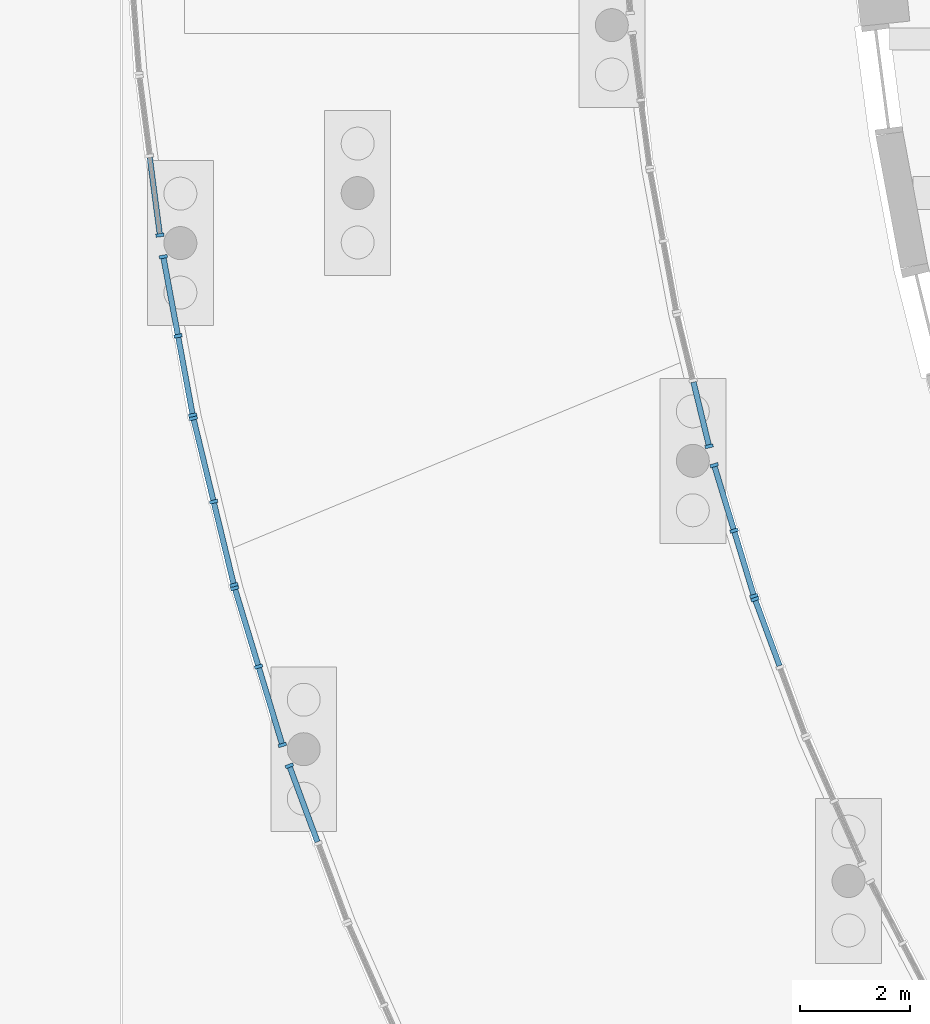
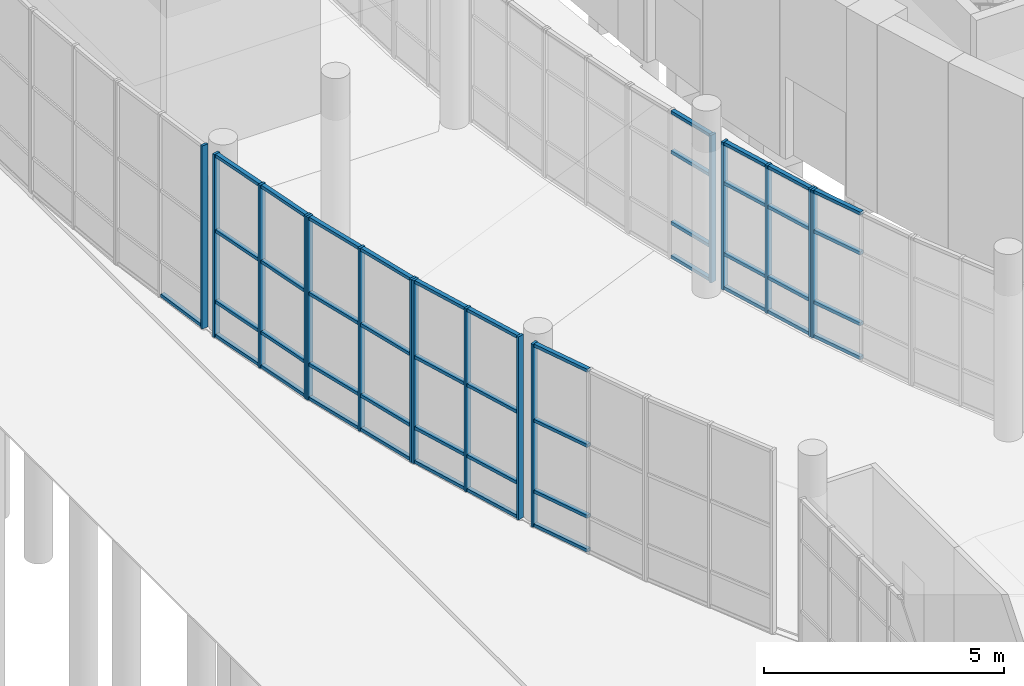
# One storey, part 20 of 110: 61 members, 8 elements without a shape of their own.
"""IFC4 building model written with IfcOpenShell, lengths in metres."""

from ifc_helpers import new_model, si_unit, direction, frame, origin, origin_2d, place, context, subcontext, project, spatial, rectangle, extrude, material, layer, layer_set, material_profile, profile_set, type_object, element, aggregate, save


model = new_model("IFC4")

# Units and contexts
model_context = context("Model", 3, precision=1e-05, world=origin(), true_north=direction((0.0, 1.0)))
body_context = subcontext(model_context, "Body", "Model", "MODEL_VIEW")
ifc_project = project(units=[si_unit("LENGTHUNIT", "METRE"), si_unit("AREAUNIT", "SQUARE_METRE"), si_unit("VOLUMEUNIT", "CUBIC_METRE"), si_unit("PLANEANGLEUNIT", "RADIAN"), si_unit("MASSUNIT", "GRAM", prefix="KILO")], contexts=[model_context])

# Site, building, storey
site_placement = place(None, origin())
site = spatial("IfcSite", under=ifc_project, at=site_placement, CompositionType="ELEMENT")
building_placement = place(site_placement, origin())
building = spatial("IfcBuilding", under=site, at=building_placement, Name="Larchfold Concert Hall", CompositionType="ELEMENT")
storey_placement = place(building_placement, origin())
storey = spatial("IfcBuildingStorey", under=building, at=storey_placement, Name="L00", CompositionType="ELEMENT", Elevation=0.0)

# Curtain wall, member
ifc_material_1 = material(Name="Anodised graphite aluminium curtain wall", Category="aluminium")
ifc_layer = layer(ifc_material_1, 0.14990234375)
ifc_layer_set = layer_set([ifc_layer], Name="Anodised graphite aluminium curtain wall")
curtain_wall_type = type_object("IfcCurtainWallType", Name="Curtain wall WG", PredefinedType="NOTDEFINED", material=ifc_layer_set)
curtain_wall_1_placement = place(storey_placement, origin())
curtain_wall_1 = element("IfcCurtainWall", 1, at=curtain_wall_1_placement, inside=storey, type_object=curtain_wall_type, Name="Curtain wall CW0064", PredefinedType="NOTDEFINED")
ifc_material_2 = material(Name="Anodised graphite aluminium mullion", Category="aluminium")
ifc_material_profile_1 = material_profile(ifc_material_2, rectangle(XDim=0.14990234375, YDim=0.06005859375, at=origin_2d()))
ifc_profile_set_1 = profile_set([ifc_material_profile_1], Name="Anodised graphite aluminium mullion")
member_type_1 = type_object("IfcMemberType", Name="Aluminium mullion 60x150", PredefinedType="MULLION", material=ifc_profile_set_1)
member_1_placement = place(storey_placement, frame((16.230712890625, 68.808837890625, 0.0), z_axis=(0.0, 0.0, 1.0), x_axis=(-0.938001528432, -0.346631119, 0.0)))
member_1 = element("IfcMember", 2, at=member_1_placement, type_object=member_type_1, Name="CW0064 mullion 3", PredefinedType="MULLION", context=body_context, shape_type="SweptSolid", body=[
    extrude(rectangle(XDim=0.14990234375, YDim=0.06005859375, at=origin_2d()), origin(), (0.0, 0.0, 1.0), 3.75),
])

# Curtain wall, members
curtain_wall_2_placement = place(storey_placement, origin())
curtain_wall_2 = element("IfcCurtainWall", 3, at=curtain_wall_2_placement, inside=storey, type_object=curtain_wall_type, Name="Curtain wall CW0065", PredefinedType="NOTDEFINED")
member_2_placement = place(storey_placement, frame((16.21142578125, 68.86572265625, 0.0), z_axis=(0.0, 0.0, 1.0), x_axis=(-0.956861561902, -0.290544233044, 0.0)))
member_2 = element("IfcMember", 4, at=member_2_placement, type_object=member_type_1, Name="CW0065 mullion 1", PredefinedType="MULLION", context=body_context, shape_type="SweptSolid", body=[
    extrude(rectangle(XDim=0.14990234375, YDim=0.06005859375, at=origin_2d()), origin(), (0.0, 0.0, 1.0), 3.75),
])
member_3_placement = place(storey_placement, frame((15.849853515625, 70.056640625, 0.0), z_axis=(0.0, 0.0, 1.0), x_axis=(-0.956861561902, -0.290544233044, 0.0)))
member_3 = element("IfcMember", 5, at=member_3_placement, type_object=member_type_1, Name="CW0065 mullion 2", PredefinedType="MULLION", context=body_context, shape_type="SweptSolid", body=[
    extrude(rectangle(XDim=0.14990234375, YDim=0.06005859375, at=origin_2d()), origin(), (0.0, 0.0, 1.0), 3.75),
])
member_4_placement = place(storey_placement, frame((15.48828125, 71.24755859375, 0.0), z_axis=(0.0, 0.0, 1.0), x_axis=(-0.956861561902, -0.290544233044, 0.0)))
member_4 = element("IfcMember", 6, at=member_4_placement, type_object=member_type_1, Name="CW0065 mullion 3", PredefinedType="MULLION", context=body_context, shape_type="SweptSolid", body=[
    extrude(rectangle(XDim=0.14990234375, YDim=0.06005859375, at=origin_2d()), origin(), (0.0, 0.0, 1.0), 3.75),
])

# Curtain wall, member
curtain_wall_3_placement = place(storey_placement, origin())
curtain_wall_3 = element("IfcCurtainWall", 7, at=curtain_wall_3_placement, inside=storey, type_object=curtain_wall_type, Name="Curtain wall CW0066", PredefinedType="NOTDEFINED")
member_5_placement = place(storey_placement, frame((15.394775390625, 71.591796875, 0.0), z_axis=(0.0, 0.0, 1.0), x_axis=(-0.971766073128, -0.235946390347, 0.0)))
member_5 = element("IfcMember", 8, at=member_5_placement, type_object=member_type_1, Name="CW0066 mullion 1", PredefinedType="MULLION", context=body_context, shape_type="SweptSolid", body=[
    extrude(rectangle(XDim=0.14990234375, YDim=0.06005859375, at=origin_2d()), origin(), (0.0, 0.0, 1.0), 3.75),
])

curtain_wall_4_placement = place(storey_placement, origin())
curtain_wall_4 = element("IfcCurtainWall", 9, at=curtain_wall_4_placement, inside=storey, type_object=curtain_wall_type, Name="Curtain wall CW0121", PredefinedType="NOTDEFINED")
member_6_placement = place(storey_placement, frame((5.40087890625, 75.433349609375, 0.0), z_axis=(0.0, 0.0, 1.0), x_axis=(0.99154490594, 0.129764014676, 0.0)))
member_6 = element("IfcMember", 10, at=member_6_placement, type_object=member_type_1, Name="CW0121 mullion 3", PredefinedType="MULLION", context=body_context, shape_type="SweptSolid", body=[
    extrude(rectangle(XDim=0.14990234375, YDim=0.06005859375, at=origin_2d()), origin(), (0.0, 0.0, 1.0), 4.64990234375),
])

# Curtain wall, members
curtain_wall_5_placement = place(storey_placement, origin())
curtain_wall_5 = element("IfcCurtainWall", 11, at=curtain_wall_5_placement, inside=storey, type_object=curtain_wall_type, Name="Curtain wall CW0122", PredefinedType="NOTDEFINED")
member_7_placement = place(storey_placement, frame((5.46240234375, 75.041748046875, 0.0), z_axis=(0.0, 0.0, 1.0), x_axis=(0.983230562544, 0.182366830535, 0.0)))
member_7 = element("IfcMember", 12, at=member_7_placement, type_object=member_type_1, Name="CW0122 mullion 1", PredefinedType="MULLION", context=body_context, shape_type="SweptSolid", body=[
    extrude(rectangle(XDim=0.14990234375, YDim=0.06005859375, at=origin_2d()), origin(), (0.0, 0.0, 1.0), 4.64990234375),
])
member_8_placement = place(storey_placement, frame((5.729736328125, 73.600341796875, 0.0), z_axis=(0.0, 0.0, 1.0), x_axis=(0.983230562544, 0.182366830535, 0.0)))
member_8 = element("IfcMember", 13, at=member_8_placement, type_object=member_type_1, Name="CW0122 mullion 2", PredefinedType="MULLION", context=body_context, shape_type="SweptSolid", body=[
    extrude(rectangle(XDim=0.14990234375, YDim=0.06005859375, at=origin_2d()), origin(), (0.0, 0.0, 1.0), 4.64990234375),
])
member_9_placement = place(storey_placement, frame((5.997314453125, 72.158935546875, 0.0), z_axis=(0.0, 0.0, 1.0), x_axis=(0.983230562544, 0.182366830535, 0.0)))
member_9 = element("IfcMember", 14, at=member_9_placement, type_object=member_type_1, Name="CW0122 mullion 3", PredefinedType="MULLION", context=body_context, shape_type="SweptSolid", body=[
    extrude(rectangle(XDim=0.14990234375, YDim=0.06005859375, at=origin_2d()), origin(), (0.0, 0.0, 1.0), 4.64990234375),
])

curtain_wall_6_placement = place(storey_placement, origin())
curtain_wall_6 = element("IfcCurtainWall", 15, at=curtain_wall_6_placement, inside=storey, type_object=curtain_wall_type, Name="Curtain wall CW0123", PredefinedType="NOTDEFINED")
member_10_placement = place(storey_placement, frame((6.009765625, 72.100341796875, 0.0), z_axis=(0.0, 0.0, 1.0), x_axis=(0.97176803509, 0.235938309687, 0.0)))
member_10 = element("IfcMember", 16, at=member_10_placement, type_object=member_type_1, Name="CW0123 mullion 1", PredefinedType="MULLION", context=body_context, shape_type="SweptSolid", body=[
    extrude(rectangle(XDim=0.14990234375, YDim=0.06005859375, at=origin_2d()), origin(), (0.0, 0.0, 1.0), 4.64990234375),
])
member_11_placement = place(storey_placement, frame((6.3779296875, 70.583984375, 0.0), z_axis=(0.0, 0.0, 1.0), x_axis=(0.97176803509, 0.235938309687, 0.0)))
member_11 = element("IfcMember", 17, at=member_11_placement, type_object=member_type_1, Name="CW0123 mullion 2", PredefinedType="MULLION", context=body_context, shape_type="SweptSolid", body=[
    extrude(rectangle(XDim=0.14990234375, YDim=0.06005859375, at=origin_2d()), origin(), (0.0, 0.0, 1.0), 4.64990234375),
])
member_12_placement = place(storey_placement, frame((6.74609375, 69.0673828125, 0.0), z_axis=(0.0, 0.0, 1.0), x_axis=(0.97176803509, 0.235938309687, 0.0)))
member_12 = element("IfcMember", 18, at=member_12_placement, type_object=member_type_1, Name="CW0123 mullion 3", PredefinedType="MULLION", context=body_context, shape_type="SweptSolid", body=[
    extrude(rectangle(XDim=0.14990234375, YDim=0.06005859375, at=origin_2d()), origin(), (0.0, 0.0, 1.0), 4.64990234375),
])

curtain_wall_7_placement = place(storey_placement, origin())
curtain_wall_7 = element("IfcCurtainWall", 19, at=curtain_wall_7_placement, inside=storey, type_object=curtain_wall_type, Name="Curtain wall CW0124", PredefinedType="NOTDEFINED")
member_13_placement = place(storey_placement, frame((6.761962890625, 69.009521484375, 0.0), z_axis=(0.0, 0.0, 1.0), x_axis=(0.956837952339, 0.29062197605, 0.0)))
member_13 = element("IfcMember", 20, at=member_13_placement, type_object=member_type_1, Name="CW0124 mullion 1", PredefinedType="MULLION", context=body_context, shape_type="SweptSolid", body=[
    extrude(rectangle(XDim=0.14990234375, YDim=0.06005859375, at=origin_2d()), origin(), (0.0, 0.0, 1.0), 4.64990234375),
])
member_14_placement = place(storey_placement, frame((7.1953125, 67.582763671875, 0.0), z_axis=(0.0, 0.0, 1.0), x_axis=(0.956837952339, 0.29062197605, 0.0)))
member_14 = element("IfcMember", 21, at=member_14_placement, type_object=member_type_1, Name="CW0124 mullion 2", PredefinedType="MULLION", context=body_context, shape_type="SweptSolid", body=[
    extrude(rectangle(XDim=0.14990234375, YDim=0.06005859375, at=origin_2d()), origin(), (0.0, 0.0, 1.0), 4.64990234375),
])
member_15_placement = place(storey_placement, frame((7.628662109375, 66.15576171875, 0.0), z_axis=(0.0, 0.0, 1.0), x_axis=(0.956837952339, 0.29062197605, 0.0)))
member_15 = element("IfcMember", 22, at=member_15_placement, type_object=member_type_1, Name="CW0124 mullion 3", PredefinedType="MULLION", context=body_context, shape_type="SweptSolid", body=[
    extrude(rectangle(XDim=0.14990234375, YDim=0.06005859375, at=origin_2d()), origin(), (0.0, 0.0, 1.0), 4.64990234375),
])

# Curtain wall, member
curtain_wall_8_placement = place(storey_placement, origin())
curtain_wall_8 = element("IfcCurtainWall", 23, at=curtain_wall_8_placement, inside=storey, type_object=curtain_wall_type, Name="Curtain wall CW0125", PredefinedType="NOTDEFINED")
member_16_placement = place(storey_placement, frame((7.756103515625, 65.77734375, 0.0), z_axis=(0.0, 0.0, 1.0), x_axis=(0.938015834921, 0.346592402451, 0.0)))
member_16 = element("IfcMember", 24, at=member_16_placement, type_object=member_type_1, Name="CW0125 mullion 1", PredefinedType="MULLION", context=body_context, shape_type="SweptSolid", body=[
    extrude(rectangle(XDim=0.14990234375, YDim=0.06005859375, at=origin_2d()), origin(), (0.0, 0.0, 1.0), 4.64990234375),
])

# Member
ifc_material_3 = material(Name="Anodised graphite aluminium transom", Category="aluminium")
ifc_material_profile_2 = material_profile(ifc_material_3, rectangle(XDim=0.10009765625, YDim=0.080078125, at=origin_2d()))
ifc_profile_set_2 = profile_set([ifc_material_profile_2], Name="Anodised graphite aluminium transom")
member_type_2 = type_object("IfcMemberType", Name="Aluminium transom 80x100", PredefinedType="USERDEFINED", material=ifc_profile_set_2)
member_17_placement = place(storey_placement, frame((16.677734375, 67.5986328125, 0.0400390625), z_axis=(-0.346639022733, 0.937998607631, 0.0), x_axis=(-0.937998607631, -0.346639022733, 0.0)))
member_17 = element("IfcMember", 25, at=member_17_placement, type_object=member_type_2, Name="CW0064 transom 2.1", ObjectType="TRANSOM", PredefinedType="USERDEFINED", context=body_context, shape_type="SweptSolid", body=[
    extrude(rectangle(XDim=0.10009765625, YDim=0.080078125, at=origin_2d()), origin(), (0.0, 0.0, 1.0), 1.260009765625),
])

member_18_placement = place(storey_placement, frame((16.677734375, 67.5986328125, 0.89990234375), z_axis=(-0.346639022733, 0.937998607631, 0.0), x_axis=(-0.937998607631, -0.346639022733, 0.0)))
member_18 = element("IfcMember", 26, at=member_18_placement, type_object=member_type_2, Name="CW0064 transom 2.2", ObjectType="TRANSOM", PredefinedType="USERDEFINED", context=body_context, shape_type="SweptSolid", body=[
    extrude(rectangle(XDim=0.10009765625, YDim=0.080078125, at=origin_2d()), origin(), (0.0, 0.0, 1.0), 1.260009765625),
])

member_19_placement = place(storey_placement, frame((16.677734375, 67.5986328125, 2.699951171875), z_axis=(-0.346639022733, 0.937998607631, 0.0), x_axis=(-0.937998607631, -0.346639022733, 0.0)))
member_19 = element("IfcMember", 27, at=member_19_placement, type_object=member_type_2, Name="CW0064 transom 2.3", ObjectType="TRANSOM", PredefinedType="USERDEFINED", context=body_context, shape_type="SweptSolid", body=[
    extrude(rectangle(XDim=0.10009765625, YDim=0.080078125, at=origin_2d()), origin(), (0.0, 0.0, 1.0), 1.260009765625),
])

member_20_placement = place(storey_placement, frame((16.677734375, 67.5986328125, 3.7099609375), z_axis=(-0.346639022733, 0.937998607631, 0.0), x_axis=(-0.937998607631, -0.346639022733, 0.0)))
member_20 = element("IfcMember", 28, at=member_20_placement, type_object=member_type_2, Name="CW0064 transom 2.4", ObjectType="TRANSOM", PredefinedType="USERDEFINED", context=body_context, shape_type="SweptSolid", body=[
    extrude(rectangle(XDim=0.10009765625, YDim=0.080078125, at=origin_2d()), origin(), (0.0, 0.0, 1.0), 1.260009765625),
])

aggregate(curtain_wall_1, [member_1, member_17, member_18, member_19, member_20])

member_21_placement = place(storey_placement, frame((16.202880859375, 68.894287109375, 0.0400390625), z_axis=(-0.290579319315, 0.956850907502, 0.0), x_axis=(-0.956850907502, -0.290579319315, 0.0)))
member_21 = element("IfcMember", 29, at=member_21_placement, type_object=member_type_2, Name="CW0065 transom 1.1", ObjectType="TRANSOM", PredefinedType="USERDEFINED", context=body_context, shape_type="SweptSolid", body=[
    extrude(rectangle(XDim=0.10009765625, YDim=0.080078125, at=origin_2d()), origin(), (0.0, 0.0, 1.0), 1.1845703125),
])

member_22_placement = place(storey_placement, frame((16.202880859375, 68.894287109375, 0.89990234375), z_axis=(-0.290579319315, 0.956850907502, 0.0), x_axis=(-0.956850907502, -0.290579319315, 0.0)))
member_22 = element("IfcMember", 30, at=member_22_placement, type_object=member_type_2, Name="CW0065 transom 1.2", ObjectType="TRANSOM", PredefinedType="USERDEFINED", context=body_context, shape_type="SweptSolid", body=[
    extrude(rectangle(XDim=0.10009765625, YDim=0.080078125, at=origin_2d()), origin(), (0.0, 0.0, 1.0), 1.1845703125),
])

member_23_placement = place(storey_placement, frame((16.202880859375, 68.894287109375, 2.699951171875), z_axis=(-0.290579319315, 0.956850907502, 0.0), x_axis=(-0.956850907502, -0.290579319315, 0.0)))
member_23 = element("IfcMember", 31, at=member_23_placement, type_object=member_type_2, Name="CW0065 transom 1.3", ObjectType="TRANSOM", PredefinedType="USERDEFINED", context=body_context, shape_type="SweptSolid", body=[
    extrude(rectangle(XDim=0.10009765625, YDim=0.080078125, at=origin_2d()), origin(), (0.0, 0.0, 1.0), 1.1845703125),
])

member_24_placement = place(storey_placement, frame((16.202880859375, 68.894287109375, 3.7099609375), z_axis=(-0.290579319315, 0.956850907502, 0.0), x_axis=(-0.956850907502, -0.290579319315, 0.0)))
member_24 = element("IfcMember", 32, at=member_24_placement, type_object=member_type_2, Name="CW0065 transom 1.4", ObjectType="TRANSOM", PredefinedType="USERDEFINED", context=body_context, shape_type="SweptSolid", body=[
    extrude(rectangle(XDim=0.10009765625, YDim=0.080078125, at=origin_2d()), origin(), (0.0, 0.0, 1.0), 1.1845703125),
])

member_25_placement = place(storey_placement, frame((15.841064453125, 70.08544921875, 0.0400390625), z_axis=(-0.290579319315, 0.956850907502, 0.0), x_axis=(-0.956850907502, -0.290579319315, 0.0)))
member_25 = element("IfcMember", 33, at=member_25_placement, type_object=member_type_2, Name="CW0065 transom 2.1", ObjectType="TRANSOM", PredefinedType="USERDEFINED", context=body_context, shape_type="SweptSolid", body=[
    extrude(rectangle(XDim=0.10009765625, YDim=0.080078125, at=origin_2d()), origin(), (0.0, 0.0, 1.0), 1.1845703125),
])

member_26_placement = place(storey_placement, frame((15.841064453125, 70.08544921875, 0.89990234375), z_axis=(-0.290579319315, 0.956850907502, 0.0), x_axis=(-0.956850907502, -0.290579319315, 0.0)))
member_26 = element("IfcMember", 34, at=member_26_placement, type_object=member_type_2, Name="CW0065 transom 2.2", ObjectType="TRANSOM", PredefinedType="USERDEFINED", context=body_context, shape_type="SweptSolid", body=[
    extrude(rectangle(XDim=0.10009765625, YDim=0.080078125, at=origin_2d()), origin(), (0.0, 0.0, 1.0), 1.1845703125),
])

member_27_placement = place(storey_placement, frame((15.841064453125, 70.08544921875, 2.699951171875), z_axis=(-0.290579319315, 0.956850907502, 0.0), x_axis=(-0.956850907502, -0.290579319315, 0.0)))
member_27 = element("IfcMember", 35, at=member_27_placement, type_object=member_type_2, Name="CW0065 transom 2.3", ObjectType="TRANSOM", PredefinedType="USERDEFINED", context=body_context, shape_type="SweptSolid", body=[
    extrude(rectangle(XDim=0.10009765625, YDim=0.080078125, at=origin_2d()), origin(), (0.0, 0.0, 1.0), 1.1845703125),
])

member_28_placement = place(storey_placement, frame((15.841064453125, 70.08544921875, 3.7099609375), z_axis=(-0.290579319315, 0.956850907502, 0.0), x_axis=(-0.956850907502, -0.290579319315, 0.0)))
member_28 = element("IfcMember", 36, at=member_28_placement, type_object=member_type_2, Name="CW0065 transom 2.4", ObjectType="TRANSOM", PredefinedType="USERDEFINED", context=body_context, shape_type="SweptSolid", body=[
    extrude(rectangle(XDim=0.10009765625, YDim=0.080078125, at=origin_2d()), origin(), (0.0, 0.0, 1.0), 1.1845703125),
])

aggregate(curtain_wall_2, [member_2, member_3, member_4, member_21, member_22, member_23, member_24, member_25, member_26, member_27, member_28])

member_29_placement = place(storey_placement, frame((15.3876953125, 71.62109375, 0.0400390625), z_axis=(-0.236053588848, 0.971740038895, 0.0), x_axis=(-0.971740038895, -0.236053588848, 0.0)))
member_29 = element("IfcMember", 37, at=member_29_placement, type_object=member_type_2, Name="CW0066 transom 1.1", ObjectType="TRANSOM", PredefinedType="USERDEFINED", context=body_context, shape_type="SweptSolid", body=[
    extrude(rectangle(XDim=0.10009765625, YDim=0.080078125, at=origin_2d()), origin(), (0.0, 0.0, 1.0), 1.1708984375),
])

member_30_placement = place(storey_placement, frame((15.3876953125, 71.62109375, 0.89990234375), z_axis=(-0.236053588848, 0.971740038895, 0.0), x_axis=(-0.971740038895, -0.236053588848, 0.0)))
member_30 = element("IfcMember", 38, at=member_30_placement, type_object=member_type_2, Name="CW0066 transom 1.2", ObjectType="TRANSOM", PredefinedType="USERDEFINED", context=body_context, shape_type="SweptSolid", body=[
    extrude(rectangle(XDim=0.10009765625, YDim=0.080078125, at=origin_2d()), origin(), (0.0, 0.0, 1.0), 1.1708984375),
])

member_31_placement = place(storey_placement, frame((15.3876953125, 71.62109375, 2.699951171875), z_axis=(-0.236053588848, 0.971740038895, 0.0), x_axis=(-0.971740038895, -0.236053588848, 0.0)))
member_31 = element("IfcMember", 39, at=member_31_placement, type_object=member_type_2, Name="CW0066 transom 1.3", ObjectType="TRANSOM", PredefinedType="USERDEFINED", context=body_context, shape_type="SweptSolid", body=[
    extrude(rectangle(XDim=0.10009765625, YDim=0.080078125, at=origin_2d()), origin(), (0.0, 0.0, 1.0), 1.1708984375),
])

member_32_placement = place(storey_placement, frame((15.3876953125, 71.62109375, 3.7099609375), z_axis=(-0.236053588848, 0.971740038895, 0.0), x_axis=(-0.971740038895, -0.236053588848, 0.0)))
member_32 = element("IfcMember", 40, at=member_32_placement, type_object=member_type_2, Name="CW0066 transom 1.4", ObjectType="TRANSOM", PredefinedType="USERDEFINED", context=body_context, shape_type="SweptSolid", body=[
    extrude(rectangle(XDim=0.10009765625, YDim=0.080078125, at=origin_2d()), origin(), (0.0, 0.0, 1.0), 1.1708984375),
])

aggregate(curtain_wall_3, [member_5, member_29, member_30, member_31, member_32])

member_33_placement = place(storey_placement, frame((5.2158203125, 76.84765625, 0.0400390625), z_axis=(0.129735338481, -0.991548658387, 0.0), x_axis=(0.991548658387, 0.129735338481, 0.0)))
member_33 = element("IfcMember", 41, at=member_33_placement, type_object=member_type_2, Name="CW0121 transom 2.1", ObjectType="TRANSOM", PredefinedType="USERDEFINED", context=body_context, shape_type="SweptSolid", body=[
    extrude(rectangle(XDim=0.10009765625, YDim=0.080078125, at=origin_2d()), origin(), (0.0, 0.0, 1.0), 1.396240234375),
])

aggregate(curtain_wall_4, [member_6, member_33])

member_34_placement = place(storey_placement, frame((5.468017578125, 75.01220703125, 0.0400390625), z_axis=(0.18233799129, -0.983235911128, 0.0), x_axis=(0.983235911128, 0.18233799129, 0.0)))
member_34 = element("IfcMember", 42, at=member_34_placement, type_object=member_type_2, Name="CW0122 transom 1.1", ObjectType="TRANSOM", PredefinedType="USERDEFINED", context=body_context, shape_type="SweptSolid", body=[
    extrude(rectangle(XDim=0.10009765625, YDim=0.080078125, at=origin_2d()), origin(), (0.0, 0.0, 1.0), 1.406005859375),
])

member_35_placement = place(storey_placement, frame((5.468017578125, 75.01220703125, 0.89990234375), z_axis=(0.18233799129, -0.983235911128, 0.0), x_axis=(0.983235911128, 0.18233799129, 0.0)))
member_35 = element("IfcMember", 43, at=member_35_placement, type_object=member_type_2, Name="CW0122 transom 1.2", ObjectType="TRANSOM", PredefinedType="USERDEFINED", context=body_context, shape_type="SweptSolid", body=[
    extrude(rectangle(XDim=0.10009765625, YDim=0.080078125, at=origin_2d()), origin(), (0.0, 0.0, 1.0), 1.406005859375),
])

member_36_placement = place(storey_placement, frame((5.468017578125, 75.01220703125, 2.699951171875), z_axis=(0.18233799129, -0.983235911128, 0.0), x_axis=(0.983235911128, 0.18233799129, 0.0)))
member_36 = element("IfcMember", 44, at=member_36_placement, type_object=member_type_2, Name="CW0122 transom 1.3", ObjectType="TRANSOM", PredefinedType="USERDEFINED", context=body_context, shape_type="SweptSolid", body=[
    extrude(rectangle(XDim=0.10009765625, YDim=0.080078125, at=origin_2d()), origin(), (0.0, 0.0, 1.0), 1.406005859375),
])

member_37_placement = place(storey_placement, frame((5.468017578125, 75.01220703125, 4.60986328125), z_axis=(0.18233799129, -0.983235911128, 0.0), x_axis=(0.983235911128, 0.18233799129, 0.0)))
member_37 = element("IfcMember", 45, at=member_37_placement, type_object=member_type_2, Name="CW0122 transom 1.4", ObjectType="TRANSOM", PredefinedType="USERDEFINED", context=body_context, shape_type="SweptSolid", body=[
    extrude(rectangle(XDim=0.10009765625, YDim=0.080078125, at=origin_2d()), origin(), (0.0, 0.0, 1.0), 1.406005859375),
])

member_38_placement = place(storey_placement, frame((5.7353515625, 73.57080078125, 0.0400390625), z_axis=(0.18233799129, -0.983235911128, 0.0), x_axis=(0.983235911128, 0.18233799129, 0.0)))
member_38 = element("IfcMember", 46, at=member_38_placement, type_object=member_type_2, Name="CW0122 transom 2.1", ObjectType="TRANSOM", PredefinedType="USERDEFINED", context=body_context, shape_type="SweptSolid", body=[
    extrude(rectangle(XDim=0.10009765625, YDim=0.080078125, at=origin_2d()), origin(), (0.0, 0.0, 1.0), 1.406005859375),
])

member_39_placement = place(storey_placement, frame((5.7353515625, 73.57080078125, 0.89990234375), z_axis=(0.18233799129, -0.983235911128, 0.0), x_axis=(0.983235911128, 0.18233799129, 0.0)))
member_39 = element("IfcMember", 47, at=member_39_placement, type_object=member_type_2, Name="CW0122 transom 2.2", ObjectType="TRANSOM", PredefinedType="USERDEFINED", context=body_context, shape_type="SweptSolid", body=[
    extrude(rectangle(XDim=0.10009765625, YDim=0.080078125, at=origin_2d()), origin(), (0.0, 0.0, 1.0), 1.406005859375),
])

member_40_placement = place(storey_placement, frame((5.7353515625, 73.57080078125, 2.699951171875), z_axis=(0.18233799129, -0.983235911128, 0.0), x_axis=(0.983235911128, 0.18233799129, 0.0)))
member_40 = element("IfcMember", 48, at=member_40_placement, type_object=member_type_2, Name="CW0122 transom 2.3", ObjectType="TRANSOM", PredefinedType="USERDEFINED", context=body_context, shape_type="SweptSolid", body=[
    extrude(rectangle(XDim=0.10009765625, YDim=0.080078125, at=origin_2d()), origin(), (0.0, 0.0, 1.0), 1.406005859375),
])

member_41_placement = place(storey_placement, frame((5.7353515625, 73.57080078125, 4.60986328125), z_axis=(0.18233799129, -0.983235911128, 0.0), x_axis=(0.983235911128, 0.18233799129, 0.0)))
member_41 = element("IfcMember", 49, at=member_41_placement, type_object=member_type_2, Name="CW0122 transom 2.4", ObjectType="TRANSOM", PredefinedType="USERDEFINED", context=body_context, shape_type="SweptSolid", body=[
    extrude(rectangle(XDim=0.10009765625, YDim=0.080078125, at=origin_2d()), origin(), (0.0, 0.0, 1.0), 1.406005859375),
])

aggregate(curtain_wall_5, [member_7, member_8, member_9, member_34, member_35, member_36, member_37, member_38, member_39, member_40, member_41])

member_42_placement = place(storey_placement, frame((6.016845703125, 72.071044921875, 0.0400390625), z_axis=(0.235944645089, -0.971766496878, 0.0), x_axis=(0.971766496878, 0.235944645089, 0.0)))
member_42 = element("IfcMember", 50, at=member_42_placement, type_object=member_type_2, Name="CW0123 transom 1.1", ObjectType="TRANSOM", PredefinedType="USERDEFINED", context=body_context, shape_type="SweptSolid", body=[
    extrude(rectangle(XDim=0.10009765625, YDim=0.080078125, at=origin_2d()), origin(), (0.0, 0.0, 1.0), 1.50048828125),
])

member_43_placement = place(storey_placement, frame((6.016845703125, 72.071044921875, 0.89990234375), z_axis=(0.235944645089, -0.971766496878, 0.0), x_axis=(0.971766496878, 0.235944645089, 0.0)))
member_43 = element("IfcMember", 51, at=member_43_placement, type_object=member_type_2, Name="CW0123 transom 1.2", ObjectType="TRANSOM", PredefinedType="USERDEFINED", context=body_context, shape_type="SweptSolid", body=[
    extrude(rectangle(XDim=0.10009765625, YDim=0.080078125, at=origin_2d()), origin(), (0.0, 0.0, 1.0), 1.50048828125),
])

member_44_placement = place(storey_placement, frame((6.016845703125, 72.071044921875, 2.699951171875), z_axis=(0.235944645089, -0.971766496878, 0.0), x_axis=(0.971766496878, 0.235944645089, 0.0)))
member_44 = element("IfcMember", 52, at=member_44_placement, type_object=member_type_2, Name="CW0123 transom 1.3", ObjectType="TRANSOM", PredefinedType="USERDEFINED", context=body_context, shape_type="SweptSolid", body=[
    extrude(rectangle(XDim=0.10009765625, YDim=0.080078125, at=origin_2d()), origin(), (0.0, 0.0, 1.0), 1.50048828125),
])

member_45_placement = place(storey_placement, frame((6.016845703125, 72.071044921875, 4.60986328125), z_axis=(0.235944645089, -0.971766496878, 0.0), x_axis=(0.971766496878, 0.235944645089, 0.0)))
member_45 = element("IfcMember", 53, at=member_45_placement, type_object=member_type_2, Name="CW0123 transom 1.4", ObjectType="TRANSOM", PredefinedType="USERDEFINED", context=body_context, shape_type="SweptSolid", body=[
    extrude(rectangle(XDim=0.10009765625, YDim=0.080078125, at=origin_2d()), origin(), (0.0, 0.0, 1.0), 1.50048828125),
])

member_46_placement = place(storey_placement, frame((6.385009765625, 70.5546875, 0.0400390625), z_axis=(0.235944645089, -0.971766496878, 0.0), x_axis=(0.971766496878, 0.235944645089, 0.0)))
member_46 = element("IfcMember", 54, at=member_46_placement, type_object=member_type_2, Name="CW0123 transom 2.1", ObjectType="TRANSOM", PredefinedType="USERDEFINED", context=body_context, shape_type="SweptSolid", body=[
    extrude(rectangle(XDim=0.10009765625, YDim=0.080078125, at=origin_2d()), origin(), (0.0, 0.0, 1.0), 1.50048828125),
])

member_47_placement = place(storey_placement, frame((6.385009765625, 70.5546875, 0.89990234375), z_axis=(0.235944645089, -0.971766496878, 0.0), x_axis=(0.971766496878, 0.235944645089, 0.0)))
member_47 = element("IfcMember", 55, at=member_47_placement, type_object=member_type_2, Name="CW0123 transom 2.2", ObjectType="TRANSOM", PredefinedType="USERDEFINED", context=body_context, shape_type="SweptSolid", body=[
    extrude(rectangle(XDim=0.10009765625, YDim=0.080078125, at=origin_2d()), origin(), (0.0, 0.0, 1.0), 1.50048828125),
])

member_48_placement = place(storey_placement, frame((6.385009765625, 70.5546875, 2.699951171875), z_axis=(0.235944645089, -0.971766496878, 0.0), x_axis=(0.971766496878, 0.235944645089, 0.0)))
member_48 = element("IfcMember", 56, at=member_48_placement, type_object=member_type_2, Name="CW0123 transom 2.3", ObjectType="TRANSOM", PredefinedType="USERDEFINED", context=body_context, shape_type="SweptSolid", body=[
    extrude(rectangle(XDim=0.10009765625, YDim=0.080078125, at=origin_2d()), origin(), (0.0, 0.0, 1.0), 1.50048828125),
])

member_49_placement = place(storey_placement, frame((6.385009765625, 70.5546875, 4.60986328125), z_axis=(0.235944645089, -0.971766496878, 0.0), x_axis=(0.971766496878, 0.235944645089, 0.0)))
member_49 = element("IfcMember", 57, at=member_49_placement, type_object=member_type_2, Name="CW0123 transom 2.4", ObjectType="TRANSOM", PredefinedType="USERDEFINED", context=body_context, shape_type="SweptSolid", body=[
    extrude(rectangle(XDim=0.10009765625, YDim=0.080078125, at=origin_2d()), origin(), (0.0, 0.0, 1.0), 1.50048828125),
])

aggregate(curtain_wall_6, [member_10, member_11, member_12, member_42, member_43, member_44, member_45, member_46, member_47, member_48, member_49])

member_50_placement = place(storey_placement, frame((6.7705078125, 68.98095703125, 0.0400390625), z_axis=(0.29063218975, -0.956834850056, 0.0), x_axis=(0.956834850056, 0.29063218975, 0.0)))
member_50 = element("IfcMember", 58, at=member_50_placement, type_object=member_type_2, Name="CW0124 transom 1.1", ObjectType="TRANSOM", PredefinedType="USERDEFINED", context=body_context, shape_type="SweptSolid", body=[
    extrude(rectangle(XDim=0.10009765625, YDim=0.080078125, at=origin_2d()), origin(), (0.0, 0.0, 1.0), 1.431396484375),
])

member_51_placement = place(storey_placement, frame((6.7705078125, 68.98095703125, 0.89990234375), z_axis=(0.29063218975, -0.956834850056, 0.0), x_axis=(0.956834850056, 0.29063218975, 0.0)))
member_51 = element("IfcMember", 59, at=member_51_placement, type_object=member_type_2, Name="CW0124 transom 1.2", ObjectType="TRANSOM", PredefinedType="USERDEFINED", context=body_context, shape_type="SweptSolid", body=[
    extrude(rectangle(XDim=0.10009765625, YDim=0.080078125, at=origin_2d()), origin(), (0.0, 0.0, 1.0), 1.431396484375),
])

member_52_placement = place(storey_placement, frame((6.7705078125, 68.98095703125, 2.699951171875), z_axis=(0.29063218975, -0.956834850056, 0.0), x_axis=(0.956834850056, 0.29063218975, 0.0)))
member_52 = element("IfcMember", 60, at=member_52_placement, type_object=member_type_2, Name="CW0124 transom 1.3", ObjectType="TRANSOM", PredefinedType="USERDEFINED", context=body_context, shape_type="SweptSolid", body=[
    extrude(rectangle(XDim=0.10009765625, YDim=0.080078125, at=origin_2d()), origin(), (0.0, 0.0, 1.0), 1.431396484375),
])

member_53_placement = place(storey_placement, frame((6.7705078125, 68.98095703125, 4.60986328125), z_axis=(0.29063218975, -0.956834850056, 0.0), x_axis=(0.956834850056, 0.29063218975, 0.0)))
member_53 = element("IfcMember", 61, at=member_53_placement, type_object=member_type_2, Name="CW0124 transom 1.4", ObjectType="TRANSOM", PredefinedType="USERDEFINED", context=body_context, shape_type="SweptSolid", body=[
    extrude(rectangle(XDim=0.10009765625, YDim=0.080078125, at=origin_2d()), origin(), (0.0, 0.0, 1.0), 1.431396484375),
])

member_54_placement = place(storey_placement, frame((7.2041015625, 67.553955078125, 0.0400390625), z_axis=(0.29063218975, -0.956834850056, 0.0), x_axis=(0.956834850056, 0.29063218975, 0.0)))
member_54 = element("IfcMember", 62, at=member_54_placement, type_object=member_type_2, Name="CW0124 transom 2.1", ObjectType="TRANSOM", PredefinedType="USERDEFINED", context=body_context, shape_type="SweptSolid", body=[
    extrude(rectangle(XDim=0.10009765625, YDim=0.080078125, at=origin_2d()), origin(), (0.0, 0.0, 1.0), 1.431396484375),
])

member_55_placement = place(storey_placement, frame((7.2041015625, 67.553955078125, 0.89990234375), z_axis=(0.29063218975, -0.956834850056, 0.0), x_axis=(0.956834850056, 0.29063218975, 0.0)))
member_55 = element("IfcMember", 63, at=member_55_placement, type_object=member_type_2, Name="CW0124 transom 2.2", ObjectType="TRANSOM", PredefinedType="USERDEFINED", context=body_context, shape_type="SweptSolid", body=[
    extrude(rectangle(XDim=0.10009765625, YDim=0.080078125, at=origin_2d()), origin(), (0.0, 0.0, 1.0), 1.431396484375),
])

member_56_placement = place(storey_placement, frame((7.2041015625, 67.553955078125, 2.699951171875), z_axis=(0.29063218975, -0.956834850056, 0.0), x_axis=(0.956834850056, 0.29063218975, 0.0)))
member_56 = element("IfcMember", 64, at=member_56_placement, type_object=member_type_2, Name="CW0124 transom 2.3", ObjectType="TRANSOM", PredefinedType="USERDEFINED", context=body_context, shape_type="SweptSolid", body=[
    extrude(rectangle(XDim=0.10009765625, YDim=0.080078125, at=origin_2d()), origin(), (0.0, 0.0, 1.0), 1.431396484375),
])

member_57_placement = place(storey_placement, frame((7.2041015625, 67.553955078125, 4.60986328125), z_axis=(0.29063218975, -0.956834850056, 0.0), x_axis=(0.956834850056, 0.29063218975, 0.0)))
member_57 = element("IfcMember", 65, at=member_57_placement, type_object=member_type_2, Name="CW0124 transom 2.4", ObjectType="TRANSOM", PredefinedType="USERDEFINED", context=body_context, shape_type="SweptSolid", body=[
    extrude(rectangle(XDim=0.10009765625, YDim=0.080078125, at=origin_2d()), origin(), (0.0, 0.0, 1.0), 1.431396484375),
])

aggregate(curtain_wall_7, [member_13, member_14, member_15, member_50, member_51, member_52, member_53, member_54, member_55, member_56, member_57])

member_58_placement = place(storey_placement, frame((7.766357421875, 65.7490234375, 0.0400390625), z_axis=(0.346643684981, -0.937996884676, 0.0), x_axis=(0.937996884676, 0.346643684981, 0.0)))
member_58 = element("IfcMember", 66, at=member_58_placement, type_object=member_type_2, Name="CW0125 transom 1.1", ObjectType="TRANSOM", PredefinedType="USERDEFINED", context=body_context, shape_type="SweptSolid", body=[
    extrude(rectangle(XDim=0.10009765625, YDim=0.080078125, at=origin_2d()), origin(), (0.0, 0.0, 1.0), 1.446533203125),
])

member_59_placement = place(storey_placement, frame((7.766357421875, 65.7490234375, 0.89990234375), z_axis=(0.346643684981, -0.937996884676, 0.0), x_axis=(0.937996884676, 0.346643684981, 0.0)))
member_59 = element("IfcMember", 67, at=member_59_placement, type_object=member_type_2, Name="CW0125 transom 1.2", ObjectType="TRANSOM", PredefinedType="USERDEFINED", context=body_context, shape_type="SweptSolid", body=[
    extrude(rectangle(XDim=0.10009765625, YDim=0.080078125, at=origin_2d()), origin(), (0.0, 0.0, 1.0), 1.446533203125),
])

member_60_placement = place(storey_placement, frame((7.766357421875, 65.7490234375, 2.699951171875), z_axis=(0.346643684981, -0.937996884676, 0.0), x_axis=(0.937996884676, 0.346643684981, 0.0)))
member_60 = element("IfcMember", 68, at=member_60_placement, type_object=member_type_2, Name="CW0125 transom 1.3", ObjectType="TRANSOM", PredefinedType="USERDEFINED", context=body_context, shape_type="SweptSolid", body=[
    extrude(rectangle(XDim=0.10009765625, YDim=0.080078125, at=origin_2d()), origin(), (0.0, 0.0, 1.0), 1.446533203125),
])

member_61_placement = place(storey_placement, frame((7.766357421875, 65.7490234375, 4.60986328125), z_axis=(0.346643684981, -0.937996884676, 0.0), x_axis=(0.937996884676, 0.346643684981, 0.0)))
member_61 = element("IfcMember", 69, at=member_61_placement, type_object=member_type_2, Name="CW0125 transom 1.4", ObjectType="TRANSOM", PredefinedType="USERDEFINED", context=body_context, shape_type="SweptSolid", body=[
    extrude(rectangle(XDim=0.10009765625, YDim=0.080078125, at=origin_2d()), origin(), (0.0, 0.0, 1.0), 1.446533203125),
])

aggregate(curtain_wall_8, [member_16, member_58, member_59, member_60, member_61])

save(model, "model.ifc")
